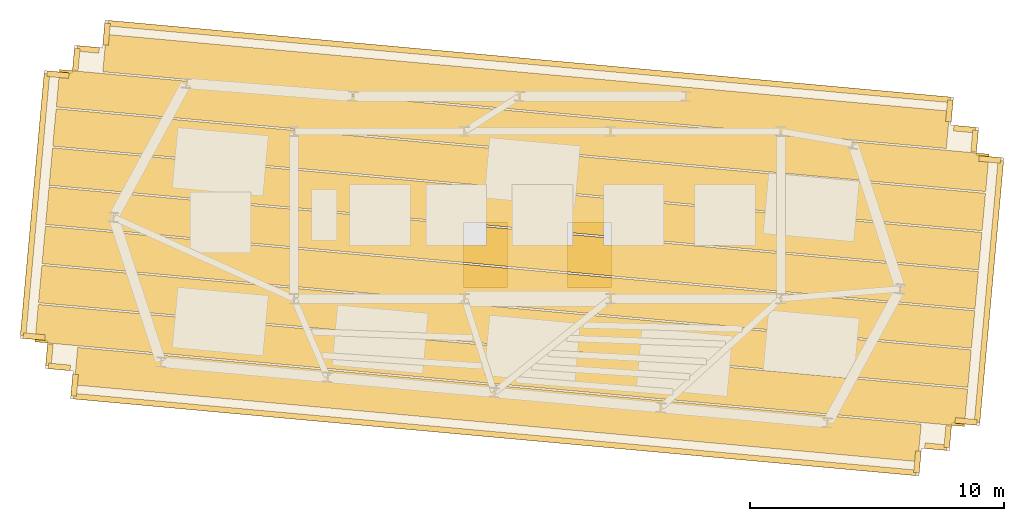
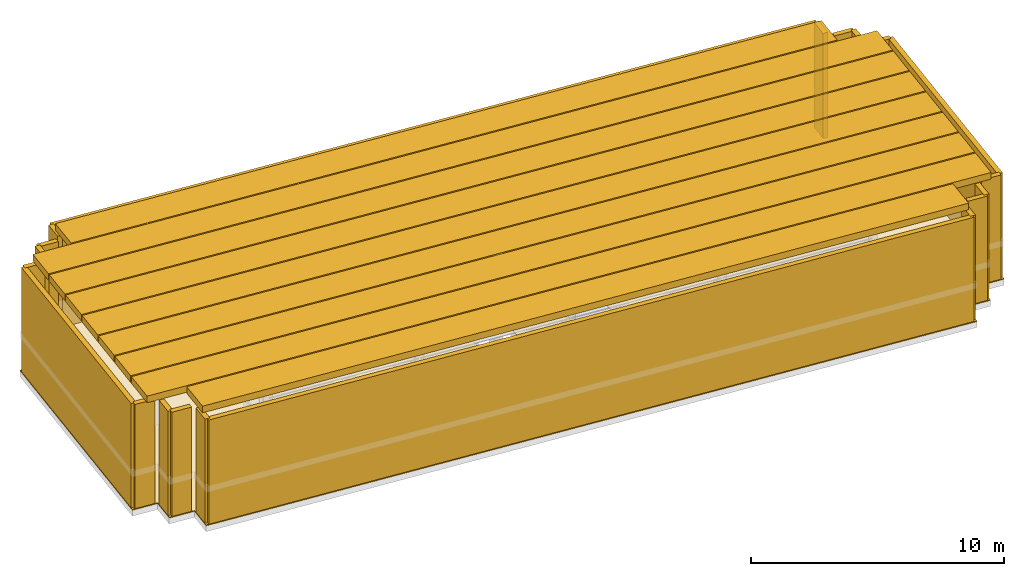
# One storey, part 3 of 4: 29 shading devices, 1 covering.
"""IFC4 building model written with IfcOpenShell, lengths in metres."""

from ifc_helpers import new_model, si_unit, direction, frame, origin, origin_2d, place, context, subcontext, project, spatial, polyline, rectangle, outline, extrude, source, transform, mapped, material, layer, layer_set, type_object, type_shapes, element, save


model = new_model("IFC4")

# Units and contexts
model_context = context("Model", 3, precision=1e-05, world=origin(), true_north=direction((0.0, 1.0)))
body_context = subcontext(model_context, "Body", "Model", "MODEL_VIEW")
ifc_project = project(units=[si_unit("LENGTHUNIT", "METRE"), si_unit("AREAUNIT", "SQUARE_METRE"), si_unit("VOLUMEUNIT", "CUBIC_METRE"), si_unit("PLANEANGLEUNIT", "RADIAN"), si_unit("MASSUNIT", "GRAM", prefix="KILO")], contexts=[model_context])

# Site, building, storey
site_placement = place(None, origin())
site = spatial("IfcSite", under=ifc_project, at=site_placement, CompositionType="ELEMENT")
building_placement = place(site_placement, origin())
building = spatial("IfcBuilding", under=site, at=building_placement, Name="Astriad Promenade Condominiums", CompositionType="ELEMENT")
storey_placement = place(building_placement, frame((0.0, 0.0, 296.800048828125)))
storey = spatial("IfcBuildingStorey", under=building, at=storey_placement, Name="ROOF", CompositionType="ELEMENT", Elevation=296.800048828125)

# Covering
ifc_material_1 = material(Name="Insulated EPDM Membrane Roofing")
ifc_layer = layer(ifc_material_1, 0.044921875)
ifc_layer_set = layer_set([ifc_layer], Name="Insulated EPDM Membrane Roofing")
covering_type = type_object("IfcCoveringType", Name="COV-ROOF-EPDM-45", PredefinedType="ROOFING", material=ifc_layer_set)
covering_placement = place(storey_placement, origin())
element("IfcCovering", 1, at=covering_placement, inside=storey, type_object=covering_type, Name="COV-ROOF-TOP", PredefinedType="ROOFING", context=body_context, shape_type="SweptSolid", body=[
    extrude(outline(polyline([(17.58935546875, 13.45361328125), (51.051025390625, 10.408203125), (51.15087890625, 11.503662109375), (52.246337890625, 11.404052734375), (52.345947265625, 12.49951171875), (53.44140625, 12.39990234375), (54.402099609375, 22.956298828125), (53.306640625, 23.055908203125), (53.406494140625, 24.1513671875), (52.310791015625, 24.2509765625), (52.41064453125, 25.346435546875), (18.948974609375, 28.391845703125), (18.84912109375, 27.29638671875), (17.753662109375, 27.39599609375), (17.654052734375, 26.300537109375), (16.55859375, 26.400146484375), (15.597900390625, 15.84375), (16.693359375, 15.744140625), (16.593505859375, 14.648681640625), (17.689208984375, 14.549072265625), (17.58935546875, 13.45361328125)]), holes=[polyline([(33.10009765625, 17.85009765625), (34.800048828125, 17.85009765625), (34.800048828125, 20.39990234375), (33.10009765625, 20.39990234375), (33.10009765625, 17.85009765625)]), polyline([(37.199951171875, 17.85009765625), (38.89990234375, 17.85009765625), (38.89990234375, 20.39990234375), (37.199951171875, 20.39990234375), (37.199951171875, 17.85009765625)])]), origin(), (0.0, 0.0, 1.0), 0.044921875),
])

# Shading devices
ifc_material_2 = material(Name="Anodised aluminium 6063-T6 Black Louvre", Category="aluminium")
shading_device_type = type_object("IfcShadingDeviceType", Name="LOUVRE-ACOUSTIC-220", PredefinedType="JALOUSIE", material=ifc_material_2)
shared_shape_1 = source(origin(), body_context, "Body", "SweptSolid", [
    extrude(rectangle(XDim=0.860107421875, YDim=0.219970703125, at=origin_2d()), origin(), (0.0, 0.0, 1.0), 5.080078125),
])
for number, where, z_axis, x_axis, name in (
    (2, (17.15185546875, 14.71337890625, 0.0), (0.0, 0.0, 1.0), (-0.995884398616, 0.090632580198, 0.0), "Crown Perimeter Acoustic Louvre Screen LVR-CRN-ROOF-00"),
    (3, (16.156005859375, 15.908447265625, 0.0), (0.0, 0.0, 1.0), (-0.995884398616, 0.090632580198, 0.0), "Crown Perimeter Acoustic Louvre Screen LVR-CRN-ROOF-02"),
    (4, (17.095703125, 26.23583984375, 0.0), (0.0, 0.0, 1.0), (0.995884398616, -0.090632580198, 0.0), "Crown Perimeter Acoustic Louvre Screen LVR-CRN-ROOF-04"),
    (5, (17.818359375, 26.837890625, 0.0), (0.0, 0.0, 1.0), (0.090632580198, 0.995884398616, 0.0), "Crown Perimeter Acoustic Louvre Screen LVR-CRN-ROOF-05"),
    (6, (18.291015625, 27.231689453125, 0.0), (0.0, 0.0, 1.0), (0.995884398616, -0.090632580198, 0.0), "Crown Perimeter Acoustic Louvre Screen LVR-CRN-ROOF-06"),
    (7, (19.013671875, 27.83349609375, 0.0), (0.0, 0.0, 1.0), (0.090632580198, 0.995884398616, 0.0), "Crown Perimeter Acoustic Louvre Screen LVR-CRN-ROOF-07"),
    (8, (52.24609375, 24.80908203125, 0.0), (0.0, 0.0, 1.0), (-0.090632580198, -0.995884398616, 0.0), "Crown Perimeter Acoustic Louvre Screen LVR-CRN-ROOF-09"),
    (9, (52.84814453125, 24.086669921875, 0.0), (0.0, 0.0, 1.0), (0.995884398616, -0.090632580198, 0.0), "Crown Perimeter Acoustic Louvre Screen LVR-CRN-ROOF-10"),
    (10, (53.843994140625, 22.8916015625, 0.0), (0.0, 0.0, 1.0), (0.995884398616, -0.090632580198, 0.0), "Crown Perimeter Acoustic Louvre Screen LVR-CRN-ROOF-12"),
    (11, (52.904296875, 12.564208984375, 0.0), (0.0, 0.0, 1.0), (-0.995884398616, 0.090632580198, 0.0), "Crown Perimeter Acoustic Louvre Screen LVR-CRN-ROOF-14"),
    (12, (52.181640625, 11.962158203125, 0.0), (0.0, 0.0, 1.0), (-0.090632580198, -0.995884398616, 0.0), "Crown Perimeter Acoustic Louvre Screen LVR-CRN-ROOF-15"),
    (13, (51.708984375, 11.568359375, 0.0), (0.0, 0.0, 1.0), (-0.995884398616, 0.090632580198, 0.0), "Crown Perimeter Acoustic Louvre Screen LVR-CRN-ROOF-16"),
    (14, (50.986328125, 10.96630859375, 0.0), (0.0, 0.0, 1.0), (-0.090632580198, -0.995884398616, 0.0), "Crown Perimeter Acoustic Louvre Screen LVR-CRN-ROOF-17"),
    (15, (17.75390625, 13.99072265625, 0.0), (0.0, 0.0, 1.0), (0.090632580198, 0.995884398616, 0.0), "Crown Perimeter Acoustic Louvre Screen LVR-CRN-ROOF-19"),
):
    element("IfcShadingDevice", number, at=place(storey_placement, frame(where, z_axis=z_axis, x_axis=x_axis)), inside=storey, type_object=shading_device_type, Name=name, PredefinedType="JALOUSIE", context=body_context, shape_type="MappedRepresentation", body=[
        mapped(shared_shape_1, transform((0.0, 0.0, 0.0), scale=1.0)),
    ])
shared_shape_2 = source(origin(), body_context, "Body", "SweptSolid", [
    extrude(rectangle(XDim=0.85986328125, YDim=0.219970703125, at=origin_2d()), origin(), (0.0, 0.0, 1.0), 5.080078125),
])
for number, where, z_axis, x_axis, name in (
    (16, (16.758056640625, 15.18603515625, 0.0), (0.0, 0.0, 1.0), (0.090649961646, 0.995882816627, 0.0), "Crown Perimeter Acoustic Louvre Screen LVR-CRN-ROOF-01"),
    (17, (53.241943359375, 23.614013671875, 0.0), (0.0, 0.0, 1.0), (-0.090649961646, -0.995882816627, 0.0), "Crown Perimeter Acoustic Louvre Screen LVR-CRN-ROOF-11"),
):
    element("IfcShadingDevice", number, at=place(storey_placement, frame(where, z_axis=z_axis, x_axis=x_axis)), inside=storey, type_object=shading_device_type, Name=name, PredefinedType="JALOUSIE", context=body_context, shape_type="MappedRepresentation", body=[
        mapped(shared_shape_2, transform((0.0, 0.0, 0.0), scale=1.0)),
    ])
shared_shape_3 = source(origin(), body_context, "Body", "SweptSolid", [
    extrude(rectangle(XDim=10.360107421875, YDim=0.219970703125, at=origin_2d()), origin(), (0.0, 0.0, 1.0), 5.080078125),
])
for number, where, z_axis, x_axis, name in (
    (18, (16.192626953125, 21.111572265625, 0.0), (0.0, 0.0, 1.0), (0.090632580198, 0.995884398616, 0.0), "Crown Perimeter Acoustic Louvre Screen LVR-CRN-ROOF-03"),
    (19, (53.807373046875, 17.6884765625, 0.0), (0.0, 0.0, 1.0), (-0.090632580198, -0.995884398616, 0.0), "Crown Perimeter Acoustic Louvre Screen LVR-CRN-ROOF-13"),
):
    element("IfcShadingDevice", number, at=place(storey_placement, frame(where, z_axis=z_axis, x_axis=x_axis)), inside=storey, type_object=shading_device_type, Name=name, PredefinedType="JALOUSIE", context=body_context, shape_type="MappedRepresentation", body=[
        mapped(shared_shape_3, transform((0.0, 0.0, 0.0), scale=1.0)),
    ])
shared_shape_4 = source(origin(), body_context, "Body", "SweptSolid", [
    extrude(rectangle(XDim=33.360107421875, YDim=0.219970703125, at=origin_2d()), origin(), (0.0, 0.0, 1.0), 5.080078125),
])
for number, where, z_axis, x_axis, name in (
    (20, (35.669189453125, 26.754638671875, 0.0), (0.0, 0.0, 1.0), (0.995884398616, -0.090632580198, 0.0), "Crown Perimeter Acoustic Louvre Screen LVR-CRN-ROOF-08"),
    (21, (34.330810546875, 12.04541015625, 0.0), (0.0, 0.0, 1.0), (-0.995884398616, 0.090632580198, 0.0), "Crown Perimeter Acoustic Louvre Screen LVR-CRN-ROOF-18"),
):
    element("IfcShadingDevice", number, at=place(storey_placement, frame(where, z_axis=z_axis, x_axis=x_axis)), inside=storey, type_object=shading_device_type, Name=name, PredefinedType="JALOUSIE", context=body_context, shape_type="MappedRepresentation", body=[
        mapped(shared_shape_4, transform((0.0, 0.0, 0.0), scale=1.0)),
    ])
shared_shape_5 = source(origin(), body_context, "Body", "SweptSolid", [
    extrude(rectangle(XDim=33.39990234375, YDim=1.47998046875, at=origin_2d()), origin(), (0.0, 0.0, 1.0), 0.320068359375),
])
for number, where, z_axis, x_axis, name in (
    (22, (34.43798828125, 13.2255859375, 5.080078125), (0.0, 0.0, 1.0), (0.995884398616, -0.090632580198, 0.0), "Crown Top Acoustic Louvre Canopy Grillage LVR-CRN-TOP-01"),
    (23, (35.56201171875, 25.574462890625, 5.080078125), (0.0, 0.0, 1.0), (0.995884398616, -0.090632580198, 0.0), "Crown Top Acoustic Louvre Canopy Grillage LVR-CRN-TOP-09"),
):
    element("IfcShadingDevice", number, at=place(storey_placement, frame(where, z_axis=z_axis, x_axis=x_axis)), inside=storey, type_object=shading_device_type, Name=name, PredefinedType="JALOUSIE", context=body_context, shape_type="MappedRepresentation", body=[
        mapped(shared_shape_5, transform((0.0, 0.0, 0.0), scale=1.0)),
    ])
shared_shape_6 = source(origin(), body_context, "Body", "SweptSolid", [
    extrude(rectangle(XDim=36.800048828125, YDim=1.47998046875, at=origin_2d()), origin(), (0.0, 0.0, 1.0), 0.320068359375),
])
type_shapes(shading_device_type, [shared_shape_1, shared_shape_2, shared_shape_3, shared_shape_4, shared_shape_5, shared_shape_6])
for number, where, z_axis, x_axis, name in (
    (24, (34.57861328125, 14.76904296875, 5.080078125), (0.0, 0.0, 1.0), (0.995884398616, -0.090632580198, 0.0), "Crown Top Acoustic Louvre Canopy Grillage LVR-CRN-TOP-02"),
    (25, (34.718994140625, 16.312744140625, 5.080078125), (0.0, 0.0, 1.0), (0.995884398616, -0.090632580198, 0.0), "Crown Top Acoustic Louvre Canopy Grillage LVR-CRN-TOP-03"),
    (26, (34.859619140625, 17.8564453125, 5.080078125), (0.0, 0.0, 1.0), (0.995884398616, -0.090632580198, 0.0), "Crown Top Acoustic Louvre Canopy Grillage LVR-CRN-TOP-04"),
    (27, (35.0, 19.39990234375, 5.080078125), (0.0, 0.0, 1.0), (0.995884398616, -0.090632580198, 0.0), "Crown Top Acoustic Louvre Canopy Grillage LVR-CRN-TOP-05"),
    (28, (35.140380859375, 20.943603515625, 5.080078125), (0.0, 0.0, 1.0), (0.995884398616, -0.090632580198, 0.0), "Crown Top Acoustic Louvre Canopy Grillage LVR-CRN-TOP-06"),
    (29, (35.281005859375, 22.4873046875, 5.080078125), (0.0, 0.0, 1.0), (0.995884398616, -0.090632580198, 0.0), "Crown Top Acoustic Louvre Canopy Grillage LVR-CRN-TOP-07"),
    (30, (35.42138671875, 24.031005859375, 5.080078125), (0.0, 0.0, 1.0), (0.995884398616, -0.090632580198, 0.0), "Crown Top Acoustic Louvre Canopy Grillage LVR-CRN-TOP-08"),
):
    element("IfcShadingDevice", number, at=place(storey_placement, frame(where, z_axis=z_axis, x_axis=x_axis)), inside=storey, type_object=shading_device_type, Name=name, PredefinedType="JALOUSIE", context=body_context, shape_type="MappedRepresentation", body=[
        mapped(shared_shape_6, transform((0.0, 0.0, 0.0), scale=1.0)),
    ])

save(model, "model.ifc")
